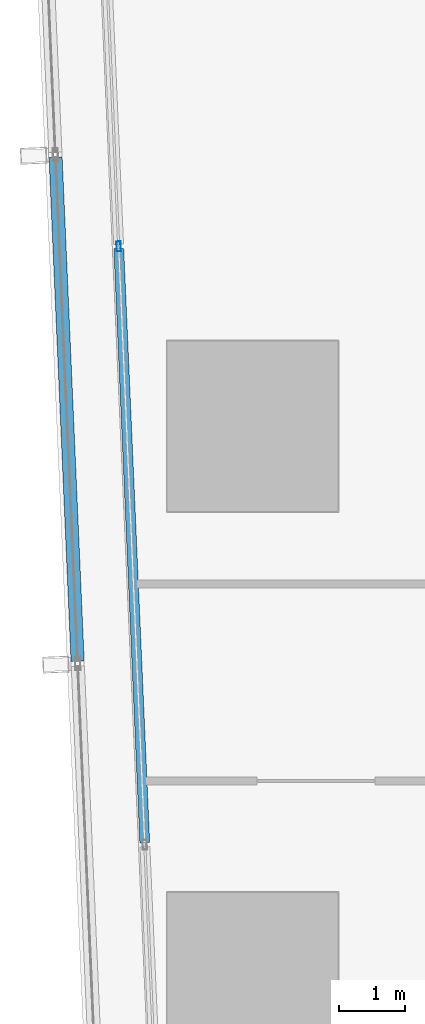
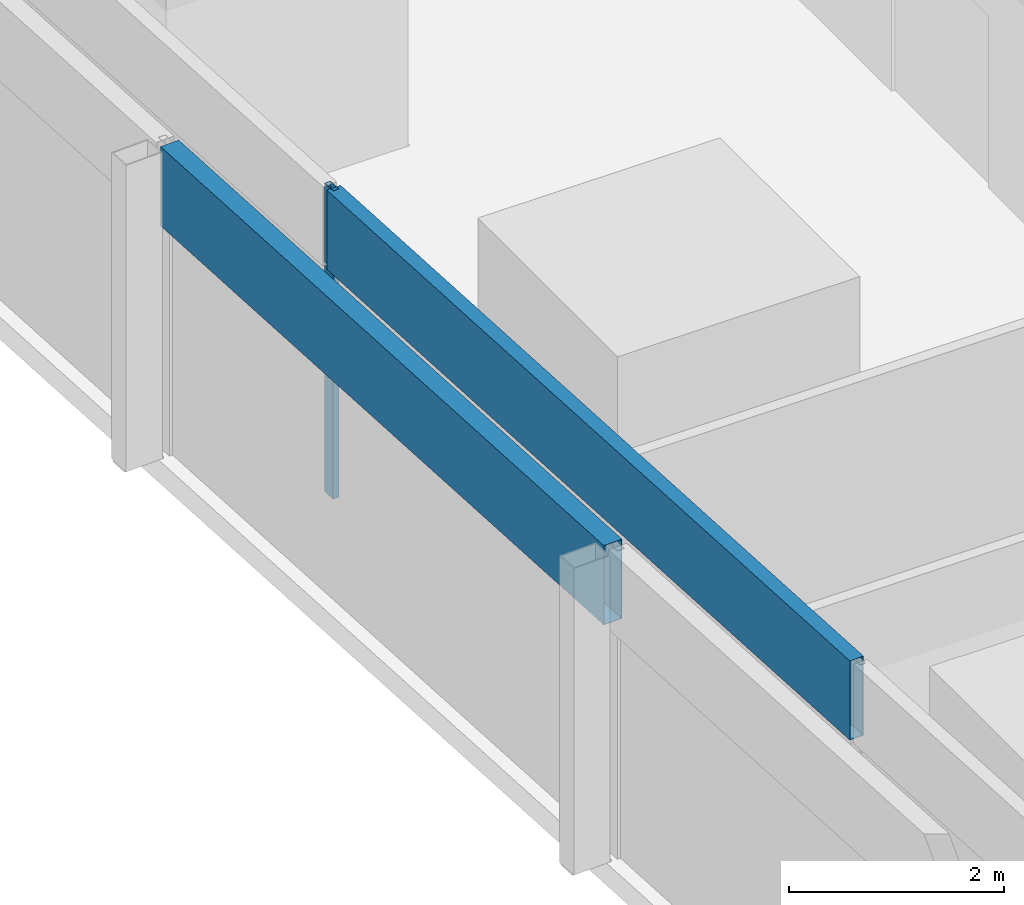
# One storey, part 8 of 46: 3 members, 2 elements without a shape of their own.
"""IFC4 building model written with IfcOpenShell, lengths in metres."""

from ifc_helpers import new_model, si_unit, direction, frame, origin, origin_2d, place, context, subcontext, project, spatial, hollow_rectangle, extrude, material, material_profile, profile_set, type_object, element, aggregate, save


model = new_model("IFC4")

# Units and contexts
model_context = context("Model", 3, precision=1e-05, world=origin(), true_north=direction((0.0, 1.0)))
body_context = subcontext(model_context, "Body", "Model", "MODEL_VIEW")
ifc_project = project(units=[si_unit("LENGTHUNIT", "METRE"), si_unit("AREAUNIT", "SQUARE_METRE"), si_unit("VOLUMEUNIT", "CUBIC_METRE"), si_unit("PLANEANGLEUNIT", "RADIAN"), si_unit("MASSUNIT", "GRAM", prefix="KILO")], contexts=[model_context])

# Site, building, storey
site_placement = place(None, origin())
site = spatial("IfcSite", under=ifc_project, at=site_placement, CompositionType="ELEMENT")
building_placement = place(site_placement, origin())
building = spatial("IfcBuilding", under=site, at=building_placement, Name="Rekha Terrace Tower", CompositionType="ELEMENT")
storey_placement = place(building_placement, frame((0.0, 0.0, 29.14990234375)))
storey = spatial("IfcBuildingStorey", under=building, at=storey_placement, Name="L06", CompositionType="ELEMENT", Elevation=29.14990234375)

# Curtain wall, members
ifc_material_1 = material(Name="Aluminium framing", Category="aluminium")
curtain_wall_type_1 = type_object("IfcCurtainWallType", Name="CW1 double skin inner glazing", PredefinedType="USERDEFINED", material=ifc_material_1)
curtain_wall_1_placement = place(storey_placement, origin())
curtain_wall_1 = element("IfcCurtainWall", 1, at=curtain_wall_1_placement, inside=storey, type_object=curtain_wall_type_1, Name="CW1 double skin inner glazing", ObjectType="DOUBLE SKIN INNER GLAZING", PredefinedType="USERDEFINED")
ifc_material_2 = material(Name="Aluminium mullion section", Category="aluminium")
ifc_material_profile_1 = material_profile(ifc_material_2, hollow_rectangle(XDim=0.06494140625, YDim=0.14990234375, WallThickness=0.00390625, at=origin_2d()), Name="AL RHS 65x150")
ifc_profile_set_1 = profile_set([ifc_material_profile_1], Name="Aluminium mullion section")
member_type_1 = type_object("IfcMemberType", Name="CW1 mullion RHS 65 x 150", PredefinedType="MULLION", material=ifc_profile_set_1)
member_1_placement = place(storey_placement, frame((6.36083984375, 36.336669921875, 0.0), z_axis=(0.0, 0.0, 1.0), x_axis=(0.999045462133, 0.043682543337, 0.0)))
member_1 = element("IfcMember", 2, at=member_1_placement, type_object=member_type_1, Name="CW1 mullion 2", PredefinedType="MULLION", context=body_context, shape_type="SweptSolid", body=[
    extrude(hollow_rectangle(XDim=0.06494140625, YDim=0.14990234375, WallThickness=0.00390625, at=origin_2d()), origin(), (0.0, 0.0, 1.0), 3.5),
])
ifc_material_3 = material(Name="Insulated aluminium spandrel box", Category="aluminium")
ifc_material_profile_2 = material_profile(ifc_material_3, hollow_rectangle(XDim=0.14990234375, YDim=0.89990234375, WallThickness=0.0029296875, at=origin_2d()), Name="AL SPANDREL BOX 150x900")
ifc_profile_set_2 = profile_set([ifc_material_profile_2], Name="Insulated aluminium spandrel box")
member_type_2 = type_object("IfcMemberType", Name="CW1 spandrel transom 150 x 900", PredefinedType="USERDEFINED", material=ifc_profile_set_2)
member_2_placement = place(storey_placement, frame((6.3623046875, 36.30419921875, 3.050048828125), z_axis=(0.043671339369, -0.999045951955, 0.0), x_axis=(0.999045951955, 0.043671339369, 0.0)))
member_2 = element("IfcMember", 3, at=member_2_placement, type_object=member_type_2, Name="CW1 spandrel transom 2", ObjectType="TRANSOM", PredefinedType="USERDEFINED", context=body_context, shape_type="SweptSolid", body=[
    extrude(hollow_rectangle(XDim=0.14990234375, YDim=0.89990234375, WallThickness=0.0029296875, at=origin_2d()), origin(), (0.0, 0.0, 1.0), 9.05078125),
])
aggregate(curtain_wall_1, [member_1, member_2])

# Curtain wall, member
curtain_wall_type_2 = type_object("IfcCurtainWallType", Name="CW2 double skin outer glazing", PredefinedType="USERDEFINED", material=ifc_material_1)
curtain_wall_2_placement = place(storey_placement, origin())
curtain_wall_2 = element("IfcCurtainWall", 4, at=curtain_wall_2_placement, inside=storey, type_object=curtain_wall_type_2, Name="CW2 double skin outer glazing", ObjectType="DOUBLE SKIN OUTER GLAZING", PredefinedType="USERDEFINED")
ifc_material_profile_3 = material_profile(ifc_material_3, hollow_rectangle(XDim=0.199951171875, YDim=0.89990234375, WallThickness=0.0029296875, at=origin_2d()), Name="AL SPANDREL BOX 200x900")
ifc_profile_set_3 = profile_set([ifc_material_profile_3], Name="Insulated aluminium spandrel box")
member_type_3 = type_object("IfcMemberType", Name="CW2 spandrel transom 200 x 900", PredefinedType="USERDEFINED", material=ifc_profile_set_3)
member_3_placement = place(storey_placement, frame((5.400634765625, 37.690185546875, 3.050048828125), z_axis=(0.04369270591, -0.99904501773, 0.0), x_axis=(0.99904501773, 0.04369270591, 0.0)))
member_3 = element("IfcMember", 5, at=member_3_placement, type_object=member_type_3, Name="CW2 spandrel transom 2", ObjectType="TRANSOM", PredefinedType="USERDEFINED", context=body_context, shape_type="SweptSolid", body=[
    extrude(hollow_rectangle(XDim=0.199951171875, YDim=0.89990234375, WallThickness=0.0029296875, at=origin_2d()), origin(), (0.0, 0.0, 1.0), 7.671875),
])
aggregate(curtain_wall_2, [member_3])

save(model, "model.ifc")
